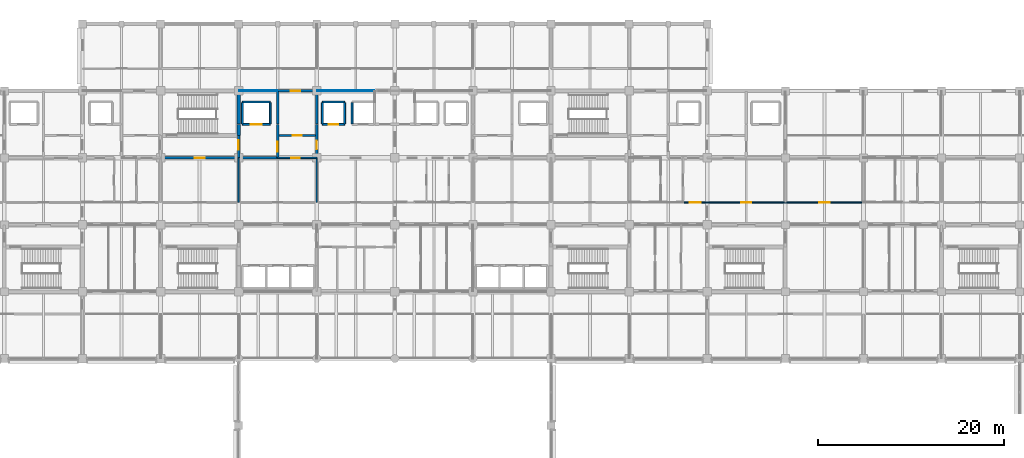
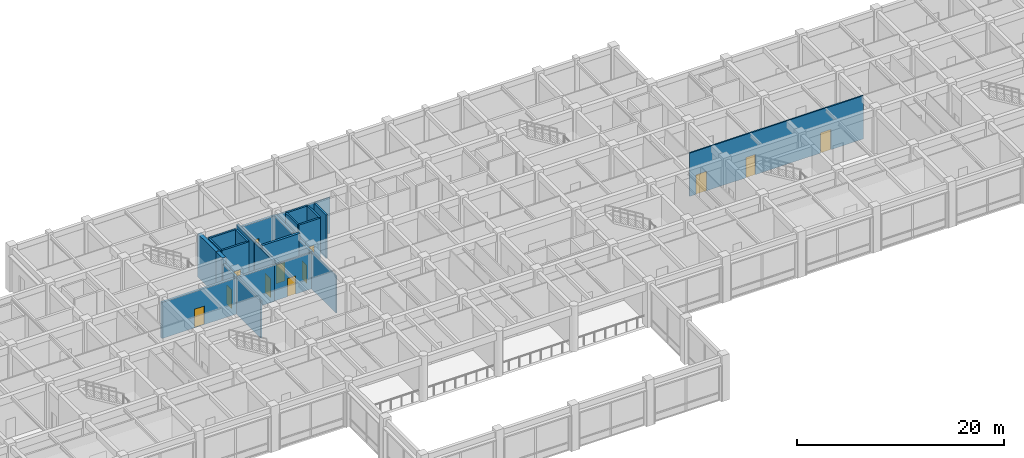
# One storey, part 33 of 51: 25 walls, 12 doors, 12 openings.
"""IFC4 building model written with IfcOpenShell, lengths in metres."""

from ifc_helpers import new_model, si_unit, direction, frame, frame_2d, origin, place, context, subcontext, project, spatial, rectangle, extrude, material, layer, layer_set, type_object, element, fill, save


model = new_model("IFC4")

# Units and contexts
model_context = context("Model", 3, precision=1e-05, world=origin(), true_north=direction((0.0, 1.0)))
body_context = subcontext(model_context, "Body", "Model", "MODEL_VIEW")
ifc_project = project(units=[si_unit("LENGTHUNIT", "METRE"), si_unit("AREAUNIT", "SQUARE_METRE"), si_unit("VOLUMEUNIT", "CUBIC_METRE"), si_unit("PLANEANGLEUNIT", "RADIAN"), si_unit("MASSUNIT", "GRAM", prefix="KILO")], contexts=[model_context])

# Site, building, storey
site_placement = place(None, origin())
site = spatial("IfcSite", under=ifc_project, at=site_placement, CompositionType="ELEMENT")
building_placement = place(site_placement, origin())
building = spatial("IfcBuilding", under=site, at=building_placement, Name="Chengyuan Square Courthouse", CompositionType="ELEMENT")
storey_placement = place(building_placement, frame((0.0, 0.0, 10.800048828125)))
storey = spatial("IfcBuildingStorey", under=building, at=storey_placement, Name="L03", CompositionType="ELEMENT", Elevation=10.800048828125)

# Wall, opening, door
ifc_material_1 = material(Name="Concrete C40", Category="concrete")
ifc_layer_1 = layer(ifc_material_1, 0.25)
ifc_layer_set_1 = layer_set([ifc_layer_1], Name="Concrete C40")
wall_type_1 = type_object("IfcWallType", Name="WL-FW1", PredefinedType="STANDARD", material=ifc_layer_set_1)
wall_1_placement = place(storey_placement, frame((58.800048828125, 100.800048828125, 0.0), z_axis=(0.0, 0.0, 1.0), x_axis=(1.0, 0.0, 0.0)))
wall_1 = element("IfcWall", 1, at=wall_1_placement, inside=storey, type_object=wall_type_1, Name="Interior Wall WL-L03-I1484", PredefinedType="STANDARD", context=body_context, shape_type="SweptSolid", body=[
    extrude(rectangle(XDim=12.599853515625, YDim=0.25, at=frame_2d((6.2998046875, 0.0))), origin(), (0.0, 0.0, 1.0), 4.27001953125),
])
opening_1_placement = place(wall_1_placement, frame((3.64990234375, 0.0, 0.0)))
opening_1 = element("IfcOpeningElement", 2, at=opening_1_placement, cuts=wall_1, Name="Opening DR-1329", PredefinedType="OPENING", context=body_context, shape_type="SweptSolid", body=[
    extrude(rectangle(XDim=1.10009765625, YDim=2.199951171875, at=frame_2d((0.550048828125, 1.10009765625))), frame((0.0, 0.136962890625, 0.0), z_axis=(0.0, -1.0, 0.0), x_axis=(1.0, 0.0, 0.0)), (0.0, 0.0, 1.0), 0.27392578125),
])
ifc_material_2 = material(Name="Steel Q235B Fire Door", Category="steel")
door_type_1 = type_object("IfcDoorType", Name="DT-10", OperationType="NOTDEFINED", PredefinedType="DOOR", material=ifc_material_2)
door_1_placement = place(opening_1_placement, origin())
door_1 = element("IfcDoor", 3, at=door_1_placement, inside=storey, type_object=door_type_1, Name="Interior Door DR-1329", OperationType="SINGLE_SWING_RIGHT", OverallHeight=2.199951171875, OverallWidth=1.10009765625, PredefinedType="DOOR", context=body_context, shape_type="SweptSolid", body=[
    extrude(rectangle(XDim=1.10009765625, YDim=2.199951171875, at=frame_2d((0.550048828125, 1.10009765625))), frame((0.0, 0.02490234375, 0.0), z_axis=(0.0, -1.0, 0.0), x_axis=(1.0, 0.0, 0.0)), (0.0, 0.0, 1.0), 0.050048828125),
])
fill(opening_1, door_1)

wall_2_placement = place(storey_placement, frame((71.39990234375, 103.199951171875, 0.0), z_axis=(0.0, 0.0, 1.0), x_axis=(1.0, 0.0, 0.0)))
wall_2 = element("IfcWall", 4, at=wall_2_placement, inside=storey, type_object=wall_type_1, Name="Interior Wall WL-L03-I1502", PredefinedType="STANDARD", context=body_context, shape_type="SweptSolid", body=[
    extrude(rectangle(XDim=4.2001953125, YDim=0.25, at=frame_2d((2.10009765625, 0.0))), origin(), (0.0, 0.0, 1.0), 5.119873046875),
])
opening_2_placement = place(wall_2_placement, frame((1.60009765625, 0.0, 0.0)))
opening_2 = element("IfcOpeningElement", 5, at=opening_2_placement, cuts=wall_2, Name="Opening DR-1372", PredefinedType="OPENING", context=body_context, shape_type="SweptSolid", body=[
    extrude(rectangle(XDim=1.0, YDim=2.199951171875, at=frame_2d((0.5, 1.10009765625))), frame((0.0, 0.136962890625, 0.0), z_axis=(0.0, -1.0, 0.0), x_axis=(1.0, 0.0, 0.0)), (0.0, 0.0, 1.0), 0.27392578125),
])
door_type_2 = type_object("IfcDoorType", Name="DT-11", OperationType="NOTDEFINED", PredefinedType="DOOR", material=ifc_material_2)
door_2_placement = place(opening_2_placement, origin())
door_2 = element("IfcDoor", 6, at=door_2_placement, inside=storey, type_object=door_type_2, Name="Interior Door DR-1372", OperationType="SINGLE_SWING_LEFT", OverallHeight=2.199951171875, OverallWidth=1.0, PredefinedType="DOOR", context=body_context, shape_type="SweptSolid", body=[
    extrude(rectangle(XDim=1.0, YDim=2.199951171875, at=frame_2d((0.5, 1.10009765625))), frame((0.0, 0.02490234375, 0.0), z_axis=(0.0, -1.0, 0.0), x_axis=(1.0, 0.0, 0.0)), (0.0, 0.0, 1.0), 0.050048828125),
])
fill(opening_2, door_2)

wall_3_placement = place(storey_placement, frame((71.39990234375, 108.0, 0.0), z_axis=(0.0, 0.0, 1.0), x_axis=(1.0, 0.0, 0.0)))
wall_3 = element("IfcWall", 7, at=wall_3_placement, inside=storey, type_object=wall_type_1, Name="Interior Wall WL-L03-I1535", PredefinedType="STANDARD", context=body_context, shape_type="SweptSolid", body=[
    extrude(rectangle(XDim=4.2001953125, YDim=0.25, at=frame_2d((2.10009765625, 0.0))), origin(), (0.0, 0.0, 1.0), 4.27001953125),
])
opening_3_placement = place(wall_3_placement, frame((1.4150390625, 0.0, 0.0)))
opening_3 = element("IfcOpeningElement", 8, at=opening_3_placement, cuts=wall_3, Name="Opening DR-1375", PredefinedType="OPENING", context=body_context, shape_type="SweptSolid", body=[
    extrude(rectangle(XDim=1.0, YDim=2.199951171875, at=frame_2d((0.5, 1.10009765625))), frame((0.0, 0.136962890625, 0.0), z_axis=(0.0, -1.0, 0.0), x_axis=(1.0, 0.0, 0.0)), (0.0, 0.0, 1.0), 0.27392578125),
])
door_3_placement = place(opening_3_placement, origin())
door_3 = element("IfcDoor", 9, at=door_3_placement, inside=storey, type_object=door_type_2, Name="Interior Door DR-1375", OperationType="SINGLE_SWING_RIGHT", OverallHeight=2.199951171875, OverallWidth=1.0, PredefinedType="DOOR", context=body_context, shape_type="SweptSolid", body=[
    extrude(rectangle(XDim=1.0, YDim=2.199951171875, at=frame_2d((0.5, 1.10009765625))), frame((0.0, 0.02490234375, 0.0), z_axis=(0.0, -1.0, 0.0), x_axis=(1.0, 0.0, 0.0)), (0.0, 0.0, 1.0), 0.050048828125),
])
fill(opening_3, door_3)

wall_4_placement = place(storey_placement, frame((67.199951171875, 100.800048828125, 0.0), z_axis=(0.0, 0.0, 1.0), x_axis=(0.0, 1.0, 0.0)))
wall_4 = element("IfcWall", 10, at=wall_4_placement, inside=storey, type_object=wall_type_1, Name="Interior Wall WL-L03-I1615", PredefinedType="STANDARD", context=body_context, shape_type="SweptSolid", body=[
    extrude(rectangle(XDim=2.39990234375, YDim=0.25, at=frame_2d((1.199951171875, 0.0))), origin(), (0.0, 0.0, 1.0), 4.369873046875),
])
opening_4_placement = place(wall_4_placement, frame((0.885009765625, 0.0, 0.0)))
opening_4 = element("IfcOpeningElement", 11, at=opening_4_placement, cuts=wall_4, Name="Opening DR-1327", PredefinedType="OPENING", context=body_context, shape_type="SweptSolid", body=[
    extrude(rectangle(XDim=1.0, YDim=2.199951171875, at=frame_2d((0.5, 1.10009765625))), frame((0.0, 0.136962890625, 0.0), z_axis=(0.0, -1.0, 0.0), x_axis=(1.0, 0.0, 0.0)), (0.0, 0.0, 1.0), 0.27392578125),
])
door_4_placement = place(opening_4_placement, origin())
door_4 = element("IfcDoor", 12, at=door_4_placement, inside=storey, type_object=door_type_2, Name="Interior Door DR-1327", OperationType="SINGLE_SWING_RIGHT", OverallHeight=2.199951171875, OverallWidth=1.0, PredefinedType="DOOR", context=body_context, shape_type="SweptSolid", body=[
    extrude(rectangle(XDim=1.0, YDim=2.199951171875, at=frame_2d((0.5, 1.10009765625))), frame((0.0, 0.02490234375, 0.0), z_axis=(0.0, -1.0, 0.0), x_axis=(1.0, 0.0, 0.0)), (0.0, 0.0, 1.0), 0.050048828125),
])
fill(opening_4, door_4)

wall_5_placement = place(storey_placement, frame((71.39990234375, 100.800048828125, 0.0), z_axis=(0.0, 0.0, 1.0), x_axis=(0.0, 1.0, 0.0)))
wall_5 = element("IfcWall", 13, at=wall_5_placement, inside=storey, type_object=wall_type_1, Name="Interior Wall WL-L03-I1623", PredefinedType="STANDARD", context=body_context, shape_type="SweptSolid", body=[
    extrude(rectangle(XDim=3.599853515625, YDim=0.25, at=frame_2d((1.7998046875, 0.0))), origin(), (0.0, 0.0, 1.0), 4.719970703125),
])
opening_5_placement = place(wall_5_placement, frame((0.64990234375, 0.0, 0.0)))
opening_5 = element("IfcOpeningElement", 14, at=opening_5_placement, cuts=wall_5, Name="Opening DR-1371", PredefinedType="OPENING", context=body_context, shape_type="SweptSolid", body=[
    extrude(rectangle(XDim=1.10009765625, YDim=2.199951171875, at=frame_2d((0.550048828125, 1.10009765625))), frame((0.0, 0.136962890625, 0.0), z_axis=(0.0, -1.0, 0.0), x_axis=(1.0, 0.0, 0.0)), (0.0, 0.0, 1.0), 0.27392578125),
])
door_5_placement = place(opening_5_placement, origin())
door_5 = element("IfcDoor", 15, at=door_5_placement, inside=storey, type_object=door_type_1, Name="Interior Door DR-1371", OperationType="SINGLE_SWING_RIGHT", OverallHeight=2.199951171875, OverallWidth=1.10009765625, PredefinedType="DOOR", context=body_context, shape_type="SweptSolid", body=[
    extrude(rectangle(XDim=1.10009765625, YDim=2.199951171875, at=frame_2d((0.550048828125, 1.10009765625))), frame((0.0, 0.02490234375, 0.0), z_axis=(0.0, -1.0, 0.0), x_axis=(1.0, 0.0, 0.0)), (0.0, 0.0, 1.0), 0.050048828125),
])
fill(opening_5, door_5)

# Wall
wall_6_placement = place(storey_placement, frame((71.39990234375, 104.449951171875, 0.0), z_axis=(0.0, 0.0, 1.0), x_axis=(0.0, 1.0, 0.0)))
element("IfcWall", 16, at=wall_6_placement, inside=storey, type_object=wall_type_1, Name="Interior Wall WL-L03-I1624", PredefinedType="STANDARD", context=body_context, shape_type="SweptSolid", body=[
    extrude(rectangle(XDim=3.5, YDim=0.25, at=frame_2d((1.75, 0.0))), origin(), (0.0, 0.0, 1.0), 4.719970703125),
])

# Wall, opening, door
wall_7_placement = place(storey_placement, frame((75.60009765625, 100.800048828125, 0.0), z_axis=(0.0, 0.0, 1.0), x_axis=(0.0, 1.0, 0.0)))
wall_7 = element("IfcWall", 17, at=wall_7_placement, inside=storey, type_object=wall_type_1, Name="Interior Wall WL-L03-I1632", PredefinedType="STANDARD", context=body_context, shape_type="SweptSolid", body=[
    extrude(rectangle(XDim=3.599853515625, YDim=0.25, at=frame_2d((1.7998046875, 0.0))), origin(), (0.0, 0.0, 1.0), 4.369873046875),
])
opening_6_placement = place(wall_7_placement, frame((0.909912109375, 0.0, 0.0)))
opening_6 = element("IfcOpeningElement", 18, at=opening_6_placement, cuts=wall_7, Name="Opening DR-1373", PredefinedType="OPENING", context=body_context, shape_type="SweptSolid", body=[
    extrude(rectangle(XDim=0.949951171875, YDim=2.14990234375, at=frame_2d((0.47509765625, 1.074951171875))), frame((0.0, 0.136962890625, 0.0), z_axis=(0.0, -1.0, 0.0), x_axis=(1.0, 0.0, 0.0)), (0.0, 0.0, 1.0), 0.27392578125),
])
door_type_3 = type_object("IfcDoorType", Name="DT-12", OperationType="NOTDEFINED", PredefinedType="DOOR", material=ifc_material_2)
door_6_placement = place(opening_6_placement, origin())
door_6 = element("IfcDoor", 19, at=door_6_placement, inside=storey, type_object=door_type_3, Name="Interior Door DR-1373", OperationType="SINGLE_SWING_RIGHT", OverallHeight=2.14990234375, OverallWidth=0.949951171875, PredefinedType="DOOR", context=body_context, shape_type="SweptSolid", body=[
    extrude(rectangle(XDim=0.949951171875, YDim=2.14990234375, at=frame_2d((0.47509765625, 1.074951171875))), frame((0.0, 0.02490234375, 0.0), z_axis=(0.0, -1.0, 0.0), x_axis=(1.0, 0.0, 0.0)), (0.0, 0.0, 1.0), 0.050048828125),
])
fill(opening_6, door_6)

# Wall
wall_8_placement = place(storey_placement, frame((75.60009765625, 104.449951171875, 0.0), z_axis=(0.0, 0.0, 1.0), x_axis=(0.0, 1.0, 0.0)))
element("IfcWall", 20, at=wall_8_placement, inside=storey, type_object=wall_type_1, Name="Interior Wall WL-L03-I1633", PredefinedType="STANDARD", context=body_context, shape_type="SweptSolid", body=[
    extrude(rectangle(XDim=3.5, YDim=0.25, at=frame_2d((1.75, 0.0))), origin(), (0.0, 0.0, 1.0), 4.369873046875),
])

# Wall, openings, doors
ifc_material_3 = material(Name="Deliberation Room Sound-Insulated Partition")
ifc_layer_2 = layer(ifc_material_3, 0.14990234375)
ifc_layer_set_2 = layer_set([ifc_layer_2], Name="Deliberation Room Sound-Insulated Partition")
wall_type_2 = type_object("IfcWallType", Name="WL-PT3", PredefinedType="STANDARD", material=ifc_layer_set_2)
wall_9_placement = place(storey_placement, frame((115.0, 96.0, 0.0), z_axis=(0.0, 0.0, 1.0), x_axis=(1.0, 0.0, 0.0)))
wall_9 = element("IfcWall", 21, at=wall_9_placement, inside=storey, type_object=wall_type_2, Name="Interior Wall WL-L03-I1470", PredefinedType="STANDARD", context=body_context, shape_type="SweptSolid", body=[
    extrude(rectangle(XDim=19.39990234375, YDim=0.14990234375, at=frame_2d((9.699951171875, 0.0))), origin(), (0.0, 0.0, 1.0), 5.119873046875),
])
opening_7_placement = place(wall_9_placement, frame((0.719970703125, 0.0, 0.0)))
opening_7 = element("IfcOpeningElement", 22, at=opening_7_placement, cuts=wall_9, Name="Opening DR-1484", PredefinedType="OPENING", context=body_context, shape_type="SweptSolid", body=[
    extrude(rectangle(XDim=1.159912109375, YDim=2.300048828125, at=frame_2d((0.580078125, 1.14990234375))), frame((0.0, 0.0869140625, 0.0), z_axis=(0.0, -1.0, 0.0), x_axis=(1.0, 0.0, 0.0)), (0.0, 0.0, 1.0), 0.173828125),
])
opening_8_placement = place(wall_9_placement, frame((6.27001953125, 0.0, 0.0)))
opening_8 = element("IfcOpeningElement", 23, at=opening_8_placement, cuts=wall_9, Name="Opening DR-1491", PredefinedType="OPENING", context=body_context, shape_type="SweptSolid", body=[
    extrude(rectangle(XDim=1.06005859375, YDim=2.39990234375, at=frame_2d((0.530029296875, 1.199951171875))), frame((0.0, 0.0869140625, 0.0), z_axis=(0.0, -1.0, 0.0), x_axis=(1.0, 0.0, 0.0)), (0.0, 0.0, 1.0), 0.173828125),
])
opening_9_placement = place(wall_9_placement, frame((14.6298828125, 0.0, 0.0)))
opening_9 = element("IfcOpeningElement", 24, at=opening_9_placement, cuts=wall_9, Name="Opening DR-1492", PredefinedType="OPENING", context=body_context, shape_type="SweptSolid", body=[
    extrude(rectangle(XDim=1.139892578125, YDim=2.39990234375, at=frame_2d((0.56982421875, 1.199951171875))), frame((0.0, 0.0869140625, 0.0), z_axis=(0.0, -1.0, 0.0), x_axis=(1.0, 0.0, 0.0)), (0.0, 0.0, 1.0), 0.173828125),
])
ifc_material_4 = material(Name="Acoustic Solid-Core Timber Door", Category="wood")
door_type_4 = type_object("IfcDoorType", Name="DT-35", OperationType="NOTDEFINED", PredefinedType="DOOR", material=ifc_material_4)
door_7_placement = place(opening_7_placement, origin())
door_7 = element("IfcDoor", 25, at=door_7_placement, inside=storey, type_object=door_type_4, Name="Interior Door DR-1484", OperationType="SINGLE_SWING_LEFT", OverallHeight=2.300048828125, OverallWidth=1.159912109375, PredefinedType="DOOR", context=body_context, shape_type="SweptSolid", body=[
    extrude(rectangle(XDim=1.159912109375, YDim=2.300048828125, at=frame_2d((0.580078125, 1.14990234375))), frame((0.0, 0.02490234375, 0.0), z_axis=(0.0, -1.0, 0.0), x_axis=(1.0, 0.0, 0.0)), (0.0, 0.0, 1.0), 0.050048828125),
])
fill(opening_7, door_7)
door_type_5 = type_object("IfcDoorType", Name="DT-42", OperationType="NOTDEFINED", PredefinedType="DOOR", material=ifc_material_4)
door_8_placement = place(opening_8_placement, origin())
door_8 = element("IfcDoor", 26, at=door_8_placement, inside=storey, type_object=door_type_5, Name="Interior Door DR-1491", OperationType="SINGLE_SWING_RIGHT", OverallHeight=2.39990234375, OverallWidth=1.06005859375, PredefinedType="DOOR", context=body_context, shape_type="SweptSolid", body=[
    extrude(rectangle(XDim=1.06005859375, YDim=2.39990234375, at=frame_2d((0.530029296875, 1.199951171875))), frame((0.0, 0.02490234375, 0.0), z_axis=(0.0, -1.0, 0.0), x_axis=(1.0, 0.0, 0.0)), (0.0, 0.0, 1.0), 0.050048828125),
])
fill(opening_8, door_8)
door_type_6 = type_object("IfcDoorType", Name="DT-43", OperationType="NOTDEFINED", PredefinedType="DOOR", material=ifc_material_4)
door_9_placement = place(opening_9_placement, origin())
door_9 = element("IfcDoor", 27, at=door_9_placement, inside=storey, type_object=door_type_6, Name="Interior Door DR-1492", OperationType="SINGLE_SWING_LEFT", OverallHeight=2.39990234375, OverallWidth=1.139892578125, PredefinedType="DOOR", context=body_context, shape_type="SweptSolid", body=[
    extrude(rectangle(XDim=1.139892578125, YDim=2.39990234375, at=frame_2d((0.56982421875, 1.199951171875))), frame((0.0, 0.02490234375, 0.0), z_axis=(0.0, -1.0, 0.0), x_axis=(1.0, 0.0, 0.0)), (0.0, 0.0, 1.0), 0.050048828125),
])
fill(opening_9, door_9)

# Wall, opening, door
wall_10_placement = place(storey_placement, frame((71.39990234375, 100.800048828125, 0.0), z_axis=(0.0, 0.0, 1.0), x_axis=(1.0, 0.0, 0.0)))
wall_10 = element("IfcWall", 28, at=wall_10_placement, inside=storey, type_object=wall_type_2, Name="Interior Wall WL-L03-I1485", PredefinedType="STANDARD", context=body_context, shape_type="SweptSolid", body=[
    extrude(rectangle(XDim=4.2001953125, YDim=0.14990234375, at=frame_2d((2.10009765625, 0.0))), origin(), (0.0, 0.0, 1.0), 4.27001953125),
])
opening_10_placement = place(wall_10_placement, frame((1.465087890625, 0.0, 0.0)))
opening_10 = element("IfcOpeningElement", 29, at=opening_10_placement, cuts=wall_10, Name="Opening DR-1374", PredefinedType="OPENING", context=body_context, shape_type="SweptSolid", body=[
    extrude(rectangle(XDim=0.89990234375, YDim=2.14990234375, at=frame_2d((0.449951171875, 1.074951171875))), frame((0.0, 0.0869140625, 0.0), z_axis=(0.0, -1.0, 0.0), x_axis=(1.0, 0.0, 0.0)), (0.0, 0.0, 1.0), 0.173828125),
])
door_type_7 = type_object("IfcDoorType", Name="DT-27", OperationType="NOTDEFINED", PredefinedType="DOOR", material=ifc_material_4)
door_10_placement = place(opening_10_placement, origin())
door_10 = element("IfcDoor", 30, at=door_10_placement, inside=storey, type_object=door_type_7, Name="Interior Door DR-1374", OperationType="SINGLE_SWING_LEFT", OverallHeight=2.14990234375, OverallWidth=0.89990234375, PredefinedType="DOOR", context=body_context, shape_type="SweptSolid", body=[
    extrude(rectangle(XDim=0.89990234375, YDim=2.14990234375, at=frame_2d((0.449951171875, 1.074951171875))), frame((0.0, 0.02490234375, 0.0), z_axis=(0.0, -1.0, 0.0), x_axis=(1.0, 0.0, 0.0)), (0.0, 0.0, 1.0), 0.050048828125),
])
fill(opening_10, door_10)

# Walls
for number, where, z_axis, x_axis, name in (
    (31, (67.199951171875, 96.0, 0.0), (0.0, 0.0, 1.0), (0.0, 1.0, 0.0), "Interior Wall WL-L03-I1614"),
    (32, (75.60009765625, 96.0, 0.0), (0.0, 0.0, 1.0), (0.0, 1.0, 0.0), "Interior Wall WL-L03-I1631"),
):
    element("IfcWall", number, at=place(storey_placement, frame(where, z_axis=z_axis, x_axis=x_axis)), inside=storey, type_object=wall_type_2, Name=name, PredefinedType="STANDARD", context=body_context, shape_type="SweptSolid", body=[
        extrude(rectangle(XDim=4.800048828125, YDim=0.14990234375, at=frame_2d((2.39990234375, 0.0))), origin(), (0.0, 0.0, 1.0), 4.369873046875),
    ])
ifc_material_5 = material(Name="Gypsum Plasterboard Acoustic Stud Partition")
ifc_layer_3 = layer(ifc_material_5, 0.10009765625)
ifc_layer_set_3 = layer_set([ifc_layer_3], Name="Gypsum Plasterboard Acoustic Stud Partition")
wall_type_3 = type_object("IfcWallType", Name="WL-PT6", PredefinedType="STANDARD", material=ifc_layer_set_3)
wall_11_placement = place(storey_placement, frame((67.25, 108.0, 0.0), z_axis=(0.0, 0.0, 1.0), x_axis=(1.0, 0.0, 0.0)))
element("IfcWall", 33, at=wall_11_placement, inside=storey, type_object=wall_type_3, Name="Interior Wall WL-L03-I1534", PredefinedType="STANDARD", context=body_context, shape_type="SweptSolid", body=[
    extrude(rectangle(XDim=4.10009765625, YDim=0.10009765625, at=frame_2d((2.050048828125, 0.0))), origin(), (0.0, 0.0, 1.0), 4.27001953125),
])
wall_12_placement = place(storey_placement, frame((75.64990234375, 108.0, 0.0), z_axis=(0.0, 0.0, 1.0), x_axis=(1.0, 0.0, 0.0)))
element("IfcWall", 34, at=wall_12_placement, inside=storey, type_object=wall_type_3, Name="Interior Wall WL-L03-I1536", PredefinedType="STANDARD", context=body_context, shape_type="SweptSolid", body=[
    extrude(rectangle(XDim=6.150146484375, YDim=0.10009765625, at=frame_2d((3.0751953125, 0.0))), origin(), (0.0, 0.0, 1.0), 4.27001953125),
])

# Wall, opening, door
ifc_material_6 = material(Name="Reinforced Masonry Shaft Enclosure", Category="masonry")
ifc_layer_4 = layer(ifc_material_6, 0.199951171875)
ifc_layer_set_4 = layer_set([ifc_layer_4], Name="Reinforced Masonry Shaft Enclosure")
wall_type_4 = type_object("IfcWallType", Name="WL-SH1", PredefinedType="STANDARD", material=ifc_layer_set_4)
wall_13_placement = place(storey_placement, frame((67.60009765625, 104.39990234375, 0.0), z_axis=(0.0, 0.0, 1.0), x_axis=(1.0, 0.0, 0.0)))
wall_13 = element("IfcWall", 35, at=wall_13_placement, inside=storey, type_object=wall_type_4, Name="Interior Wall WL-L03-I1511", PredefinedType="STANDARD", context=body_context, shape_type="SweptSolid", body=[
    extrude(rectangle(XDim=3.0, YDim=0.199951171875, at=frame_2d((1.5, 0.0))), origin(), (0.0, 0.0, 1.0), 5.119873046875),
])
opening_11_placement = place(wall_13_placement, frame((0.89990234375, 0.0, 0.0)))
opening_11 = element("IfcOpeningElement", 36, at=opening_11_placement, cuts=wall_13, Name="Opening LD-053", PredefinedType="OPENING", context=body_context, shape_type="SweptSolid", body=[
    extrude(rectangle(XDim=1.199951171875, YDim=2.14990234375, at=frame_2d((0.60009765625, 1.074951171875))), frame((0.0, 0.112060546875, 0.0), z_axis=(0.0, -1.0, 0.0), x_axis=(1.0, 0.0, 0.0)), (0.0, 0.0, 1.0), 0.223876953125),
])
ifc_material_7 = material(Name="Stainless Steel S30408 Lift Landing Door", Category="steel")
door_type_8 = type_object("IfcDoorType", Name="DT-05", OperationType="DOUBLE_DOOR_SLIDING", PredefinedType="DOOR", material=ifc_material_7)
door_11_placement = place(opening_11_placement, origin())
door_11 = element("IfcDoor", 37, at=door_11_placement, inside=storey, type_object=door_type_8, Name="Lift Landing Door LF-F1 L03", OperationType="DOUBLE_DOOR_SLIDING", OverallHeight=2.14990234375, OverallWidth=1.199951171875, PredefinedType="DOOR", context=body_context, shape_type="SweptSolid", body=[
    extrude(rectangle(XDim=1.199951171875, YDim=2.14990234375, at=frame_2d((0.60009765625, 1.074951171875))), frame((0.0, 0.02490234375, 0.0), z_axis=(0.0, -1.0, 0.0), x_axis=(1.0, 0.0, 0.0)), (0.0, 0.0, 1.0), 0.050048828125),
])
fill(opening_11, door_11)

wall_14_placement = place(storey_placement, frame((76.199951171875, 104.39990234375, 0.0), z_axis=(0.0, 0.0, 1.0), x_axis=(1.0, 0.0, 0.0)))
wall_14 = element("IfcWall", 38, at=wall_14_placement, inside=storey, type_object=wall_type_4, Name="Interior Wall WL-L03-I1512", PredefinedType="STANDARD", context=body_context, shape_type="SweptSolid", body=[
    extrude(rectangle(XDim=2.400146484375, YDim=0.199951171875, at=frame_2d((1.2001953125, 0.0))), origin(), (0.0, 0.0, 1.0), 5.119873046875),
])
opening_12_placement = place(wall_14_placement, frame((0.699951171875, 0.0, 0.0)))
opening_12 = element("IfcOpeningElement", 39, at=opening_12_placement, cuts=wall_14, Name="Opening LD-057", PredefinedType="OPENING", context=body_context, shape_type="SweptSolid", body=[
    extrude(rectangle(XDim=1.0, YDim=2.14990234375, at=frame_2d((0.5, 1.074951171875))), frame((0.0, 0.112060546875, 0.0), z_axis=(0.0, -1.0, 0.0), x_axis=(1.0, 0.0, 0.0)), (0.0, 0.0, 1.0), 0.223876953125),
])
door_type_9 = type_object("IfcDoorType", Name="DT-07", OperationType="DOUBLE_DOOR_SLIDING", PredefinedType="DOOR", material=ifc_material_7)
door_12_placement = place(opening_12_placement, origin())
door_12 = element("IfcDoor", 40, at=door_12_placement, inside=storey, type_object=door_type_9, Name="Lift Landing Door LF-J1 L03", OperationType="DOUBLE_DOOR_SLIDING", OverallHeight=2.14990234375, OverallWidth=1.0, PredefinedType="DOOR", context=body_context, shape_type="SweptSolid", body=[
    extrude(rectangle(XDim=1.0, YDim=2.14990234375, at=frame_2d((0.5, 1.074951171875))), frame((0.0, 0.02490234375, 0.0), z_axis=(0.0, -1.0, 0.0), x_axis=(1.0, 0.0, 0.0)), (0.0, 0.0, 1.0), 0.050048828125),
])
fill(opening_12, door_12)

# Walls
wall_15_placement = place(storey_placement, frame((67.60009765625, 106.800048828125, 0.0), z_axis=(0.0, 0.0, 1.0), x_axis=(1.0, 0.0, 0.0)))
element("IfcWall", 41, at=wall_15_placement, inside=storey, type_object=wall_type_4, Name="Interior Wall WL-L03-I1523", PredefinedType="STANDARD", context=body_context, shape_type="SweptSolid", body=[
    extrude(rectangle(XDim=3.0, YDim=0.199951171875, at=frame_2d((1.5, 0.0))), origin(), (0.0, 0.0, 1.0), 5.119873046875),
])
wall_16_placement = place(storey_placement, frame((76.199951171875, 106.800048828125, 0.0), z_axis=(0.0, 0.0, 1.0), x_axis=(1.0, 0.0, 0.0)))
element("IfcWall", 42, at=wall_16_placement, inside=storey, type_object=wall_type_4, Name="Interior Wall WL-L03-I1524", PredefinedType="STANDARD", context=body_context, shape_type="SweptSolid", body=[
    extrude(rectangle(XDim=2.400146484375, YDim=0.199951171875, at=frame_2d((1.2001953125, 0.0))), origin(), (0.0, 0.0, 1.0), 5.119873046875),
])
for number, where, z_axis, x_axis, name in (
    (43, (67.60009765625, 104.449951171875, 0.0), (0.0, 0.0, 1.0), (0.0, 1.0, 0.0), "Interior Wall WL-L03-I1620"),
    (44, (70.60009765625, 104.449951171875, 0.0), (0.0, 0.0, 1.0), (0.0, 1.0, 0.0), "Interior Wall WL-L03-I1622"),
    (45, (76.199951171875, 104.449951171875, 0.0), (0.0, 0.0, 1.0), (0.0, 1.0, 0.0), "Interior Wall WL-L03-I1635"),
    (46, (78.60009765625, 104.449951171875, 0.0), (0.0, 0.0, 1.0), (0.0, 1.0, 0.0), "Interior Wall WL-L03-I1637"),
    (47, (79.39990234375, 104.449951171875, 0.0), (0.0, 0.0, 1.0), (0.0, 1.0, 0.0), "Interior Wall WL-L03-I1638"),
):
    element("IfcWall", number, at=place(storey_placement, frame(where, z_axis=z_axis, x_axis=x_axis)), inside=storey, type_object=wall_type_4, Name=name, PredefinedType="STANDARD", context=body_context, shape_type="SweptSolid", body=[
        extrude(rectangle(XDim=2.300048828125, YDim=0.199951171875, at=frame_2d((1.14990234375, 0.0))), origin(), (0.0, 0.0, 1.0), 5.119873046875),
    ])
ifc_material_8 = material(Name="Concrete C50", Category="concrete")
ifc_layer_5 = layer(ifc_material_8, 0.39990234375)
ifc_layer_set_5 = layer_set([ifc_layer_5], Name="Concrete C50")
wall_type_5 = type_object("IfcWallType", Name="WL-SW1", PredefinedType="SHEAR", material=ifc_layer_set_5)
wall_17_placement = place(storey_placement, frame((67.199951171875, 103.199951171875, 0.0), z_axis=(0.0, 0.0, 1.0), x_axis=(0.0, 1.0, 0.0)))
element("IfcWall", 48, at=wall_17_placement, inside=storey, type_object=wall_type_5, Name="Interior Wall WL-L03-I1616", PredefinedType="SHEAR", context=body_context, shape_type="SweptSolid", body=[
    extrude(rectangle(XDim=1.199951171875, YDim=0.39990234375, at=frame_2d((0.60009765625, 0.0))), origin(), (0.0, 0.0, 1.0), 5.119873046875),
])
wall_18_placement = place(storey_placement, frame((67.199951171875, 104.449951171875, 0.0), z_axis=(0.0, 0.0, 1.0), x_axis=(0.0, 1.0, 0.0)))
element("IfcWall", 49, at=wall_18_placement, inside=storey, type_object=wall_type_5, Name="Interior Wall WL-L03-I1617", PredefinedType="SHEAR", context=body_context, shape_type="SweptSolid", body=[
    extrude(rectangle(XDim=3.5, YDim=0.39990234375, at=frame_2d((1.75, 0.0))), origin(), (0.0, 0.0, 1.0), 5.119873046875),
])

save(model, "model.ifc")
